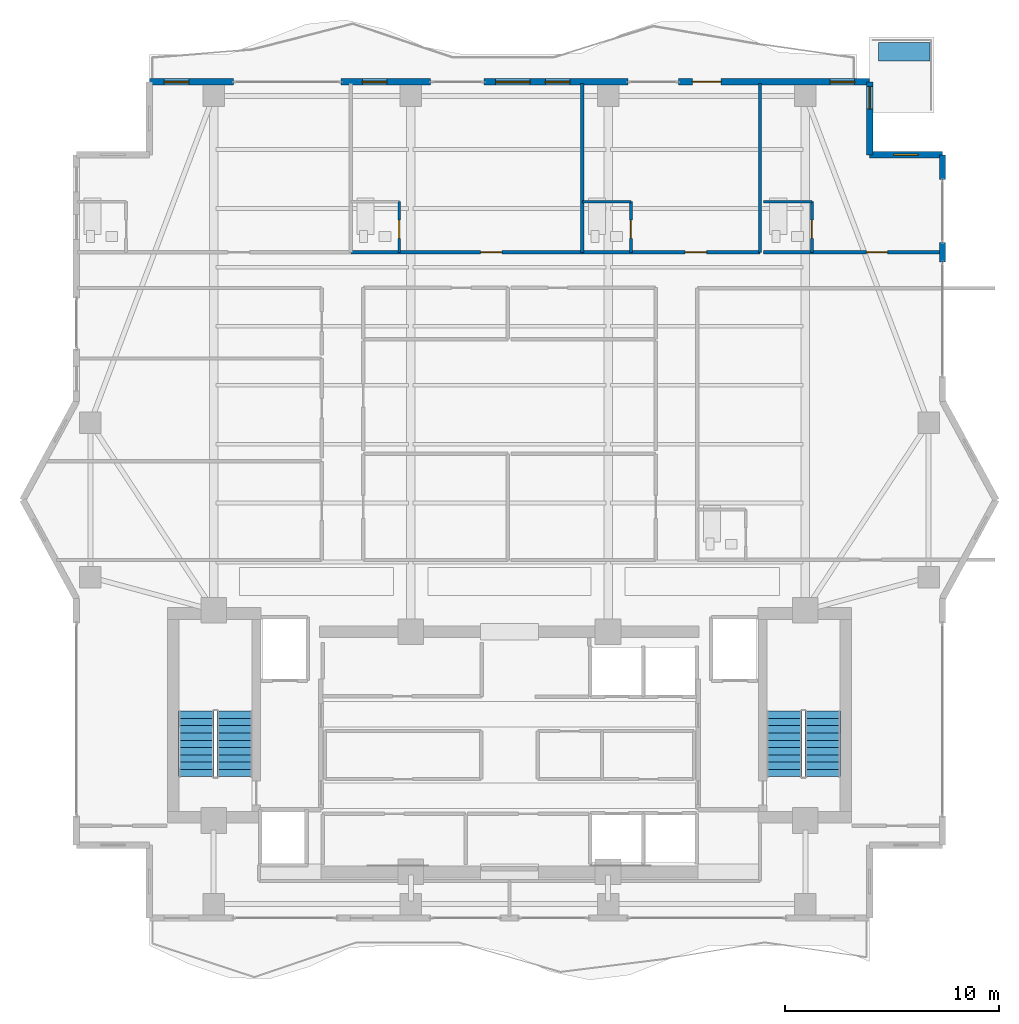
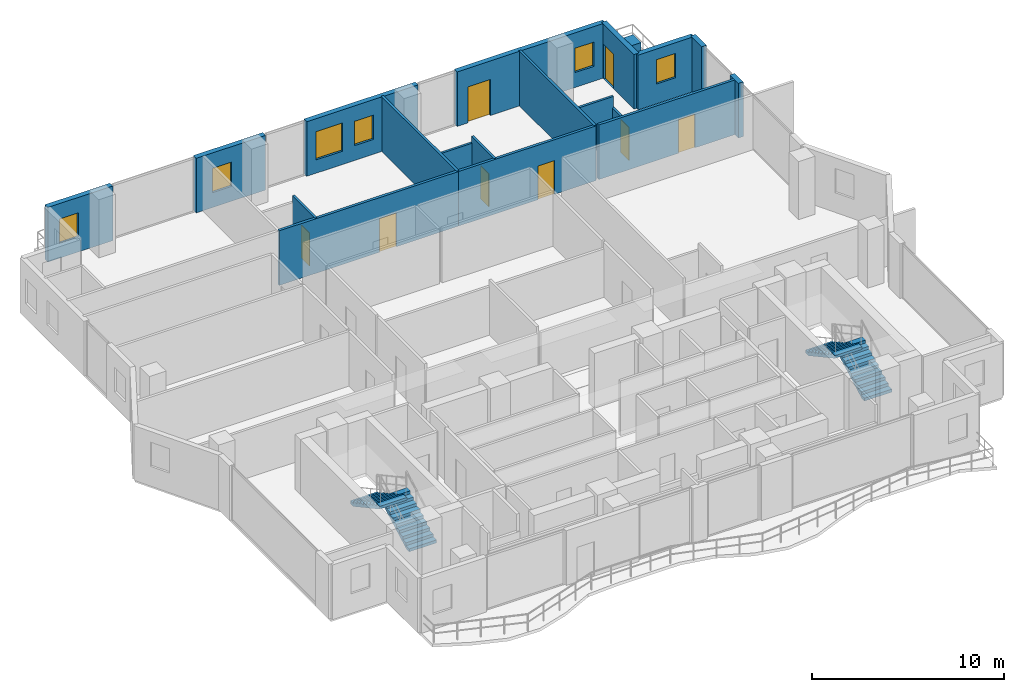
# One storey, part 20 of 23: 18 walls, 8 doors, 6 windows, 4 stair flights, 1 building element part, 14 openings, 2 elements without a shape of their own.
"""IFC4 building model written with IfcOpenShell, lengths in metres."""

from ifc_helpers import new_model, si_unit, direction, frame, frame_2d, origin, origin_2d, place, context, subcontext, project, spatial, polyline, rectangle, outline, extrude, material, layer, layer_set, type_object, element, fill, aggregate, save


model = new_model("IFC4")

# Units and contexts
model_context = context("Model", 3, precision=1e-05, world=origin(), true_north=direction((0.0, 1.0)))
body_context = subcontext(model_context, "Body", "Model", "MODEL_VIEW")
ifc_project = project(units=[si_unit("LENGTHUNIT", "METRE"), si_unit("AREAUNIT", "SQUARE_METRE"), si_unit("VOLUMEUNIT", "CUBIC_METRE"), si_unit("PLANEANGLEUNIT", "RADIAN"), si_unit("MASSUNIT", "GRAM", prefix="KILO")], contexts=[model_context])

# Site, building, storey
site_placement = place(None, origin())
site = spatial("IfcSite", under=ifc_project, at=site_placement, CompositionType="ELEMENT")
building_placement = place(site_placement, origin())
building = spatial("IfcBuilding", under=site, at=building_placement, Name="Zuhayl Quay Hotel", CompositionType="ELEMENT")
storey_placement = place(building_placement, frame((0.0, 0.0, 261.85009765625)))
storey = spatial("IfcBuildingStorey", under=building, at=storey_placement, Name="L66", CompositionType="ELEMENT", Elevation=261.85009765625)

# Wall, opening, window
ifc_material_1 = material(Name="Precast concrete C45/55", Category="concrete")
ifc_layer_1 = layer(ifc_material_1, 0.300048828125, Name="Precast concrete C45/55", Category="concrete")
ifc_layer_set_1 = layer_set([ifc_layer_1], Name="Precast concrete C45/55")
wall_type_1 = type_object("IfcWallType", Name="WL_EXT_300", PredefinedType="STANDARD", material=ifc_layer_set_1)
wall_1_placement = place(storey_placement, frame((-16.800048828125, 39.0, 0.0), z_axis=(0.0, 0.0, 1.0), x_axis=(1.0, 0.0, 0.0)))
wall_1 = element("IfcWall", 1, at=wall_1_placement, inside=storey, type_object=wall_type_1, Name="L66 Exterior Precast Wall ENV_L66_N_EW1", PredefinedType="STANDARD", context=body_context, shape_type="SweptSolid", body=[
    extrude(rectangle(XDim=3.920166015625, YDim=0.300048828125, at=frame_2d((1.9599609375, 0.0))), origin(), (0.0, 0.0, 1.0), 3.47998046875),
])
opening_1_placement = place(wall_1_placement, frame((0.695068359375, 0.0, 0.949951171875)))
opening_1 = element("IfcOpeningElement", 2, at=opening_1_placement, cuts=wall_1, Name="Opening W01N", PredefinedType="OPENING", context=body_context, shape_type="SweptSolid", body=[
    extrude(rectangle(XDim=1.14990234375, YDim=1.550048828125, at=frame_2d((0.574951171875, 0.77490234375))), frame((0.0, 0.159912109375, 0.0), z_axis=(0.0, -1.0, 0.0), x_axis=(1.0, 0.0, 0.0)), (0.0, 0.0, 1.0), 0.320068359375),
])
ifc_material_2 = material(Name="Dark Ceramic-Fritted Solar Glass", Category="glass")
window_type_1 = type_object("IfcWindowType", Name="WN_NOTCH_1350", PartitioningType="SINGLE_PANEL", PredefinedType="WINDOW", material=ifc_material_2)
window_1_placement = place(opening_1_placement, origin())
window_1 = element("IfcWindow", 3, at=window_1_placement, inside=storey, type_object=window_type_1, Name="L66 Operable Facade Window 1-1", OverallHeight=1.550048828125, OverallWidth=1.14990234375, PartitioningType="SINGLE_PANEL", PredefinedType="WINDOW", context=body_context, shape_type="SweptSolid", body=[
    extrude(rectangle(XDim=1.14990234375, YDim=1.550048828125, at=frame_2d((0.574951171875, 0.77490234375))), frame((0.0, 0.030029296875, 0.0), z_axis=(0.0, -1.0, 0.0), x_axis=(1.0, 0.0, 0.0)), (0.0, 0.0, 1.0), 0.06005859375),
])
fill(opening_1, window_1)

wall_2_placement = place(storey_placement, frame((-7.85009765625, 39.0, 0.0), z_axis=(0.0, 0.0, 1.0), x_axis=(1.0, 0.0, 0.0)))
wall_2 = element("IfcWall", 4, at=wall_2_placement, inside=storey, type_object=wall_type_1, Name="L66 Exterior Precast Wall ENV_L66_N_EW2", PredefinedType="STANDARD", context=body_context, shape_type="SweptSolid", body=[
    extrude(rectangle(XDim=4.170166015625, YDim=0.300048828125, at=frame_2d((2.0849609375, 0.0))), origin(), (0.0, 0.0, 1.0), 3.47998046875),
])
opening_2_placement = place(wall_2_placement, frame((0.985107421875, 0.0, 0.949951171875)))
opening_2 = element("IfcOpeningElement", 5, at=opening_2_placement, cuts=wall_2, Name="Opening W01N", PredefinedType="OPENING", context=body_context, shape_type="SweptSolid", body=[
    extrude(rectangle(XDim=1.14990234375, YDim=1.550048828125, at=frame_2d((0.574951171875, 0.77490234375))), frame((0.0, 0.159912109375, 0.0), z_axis=(0.0, -1.0, 0.0), x_axis=(1.0, 0.0, 0.0)), (0.0, 0.0, 1.0), 0.320068359375),
])
window_2_placement = place(opening_2_placement, origin())
window_2 = element("IfcWindow", 6, at=window_2_placement, inside=storey, type_object=window_type_1, Name="L66 Operable Facade Window 2-1", OverallHeight=1.550048828125, OverallWidth=1.14990234375, PartitioningType="SINGLE_PANEL", PredefinedType="WINDOW", context=body_context, shape_type="SweptSolid", body=[
    extrude(rectangle(XDim=1.14990234375, YDim=1.550048828125, at=frame_2d((0.574951171875, 0.77490234375))), frame((0.0, 0.030029296875, 0.0), z_axis=(0.0, -1.0, 0.0), x_axis=(1.0, 0.0, 0.0)), (0.0, 0.0, 1.0), 0.06005859375),
])
fill(opening_2, window_2)

# Wall, openings, windows
wall_3_placement = place(storey_placement, frame((-1.18994140625, 39.0, 0.0), z_axis=(0.0, 0.0, 1.0), x_axis=(1.0, 0.0, 0.0)))
wall_3 = element("IfcWall", 7, at=wall_3_placement, inside=storey, type_object=wall_type_1, Name="L66 Exterior Precast Wall ENV_L66_N_EW3", PredefinedType="STANDARD", context=body_context, shape_type="SweptSolid", body=[
    extrude(rectangle(XDim=6.7099609375, YDim=0.300048828125, at=frame_2d((3.35498046875, 0.0))), origin(), (0.0, 0.0, 1.0), 3.47998046875),
])
opening_3_placement = place(wall_3_placement, frame((0.550048828125, 0.0, 0.85009765625)))
opening_3 = element("IfcOpeningElement", 8, at=opening_3_placement, cuts=wall_3, Name="Opening W01", PredefinedType="OPENING", context=body_context, shape_type="SweptSolid", body=[
    extrude(rectangle(XDim=1.60009765625, YDim=1.800048828125, at=frame_2d((0.800048828125, 0.89990234375))), frame((0.0, 0.159912109375, 0.0), z_axis=(0.0, -1.0, 0.0), x_axis=(1.0, 0.0, 0.0)), (0.0, 0.0, 1.0), 0.320068359375),
])
opening_4_placement = place(wall_3_placement, frame((2.860107421875, 0.0, 0.949951171875)))
opening_4 = element("IfcOpeningElement", 9, at=opening_4_placement, cuts=wall_3, Name="Opening W01N", PredefinedType="OPENING", context=body_context, shape_type="SweptSolid", body=[
    extrude(rectangle(XDim=1.14990234375, YDim=1.550048828125, at=frame_2d((0.574951171875, 0.77490234375))), frame((0.0, 0.159912109375, 0.0), z_axis=(0.0, -1.0, 0.0), x_axis=(1.0, 0.0, 0.0)), (0.0, 0.0, 1.0), 0.320068359375),
])
window_3_placement = place(opening_4_placement, origin())
window_3 = element("IfcWindow", 10, at=window_3_placement, inside=storey, type_object=window_type_1, Name="L66 Operable Facade Window 3-1", OverallHeight=1.550048828125, OverallWidth=1.14990234375, PartitioningType="SINGLE_PANEL", PredefinedType="WINDOW", context=body_context, shape_type="SweptSolid", body=[
    extrude(rectangle(XDim=1.14990234375, YDim=1.550048828125, at=frame_2d((0.574951171875, 0.77490234375))), frame((0.0, 0.030029296875, 0.0), z_axis=(0.0, -1.0, 0.0), x_axis=(1.0, 0.0, 0.0)), (0.0, 0.0, 1.0), 0.06005859375),
])
fill(opening_4, window_3)
window_type_2 = type_object("IfcWindowType", Name="WN_OPERABLE_1600", PartitioningType="DOUBLE_PANEL_VERTICAL", PredefinedType="WINDOW", material=ifc_material_2)
window_4_placement = place(opening_3_placement, origin())
window_4 = element("IfcWindow", 11, at=window_4_placement, inside=storey, type_object=window_type_2, Name="L66 North Operable Casement Window", OverallHeight=1.800048828125, OverallWidth=1.60009765625, PartitioningType="SINGLE_PANEL", PredefinedType="WINDOW", context=body_context, shape_type="SweptSolid", body=[
    extrude(rectangle(XDim=1.60009765625, YDim=1.800048828125, at=frame_2d((0.800048828125, 0.89990234375))), frame((0.0, 0.030029296875, 0.0), z_axis=(0.0, -1.0, 0.0), x_axis=(1.0, 0.0, 0.0)), (0.0, 0.0, 1.0), 0.06005859375),
])
fill(opening_3, window_4)

# Wall, openings, door, window
wall_4_placement = place(storey_placement, frame((7.8779296875, 39.0, 0.0), z_axis=(0.0, 0.0, 1.0), x_axis=(1.0, 0.0, 0.0)))
wall_4 = element("IfcWall", 12, at=wall_4_placement, inside=storey, type_object=wall_type_1, Name="L66 Exterior Precast Wall ENV_L66_N_EW4", PredefinedType="STANDARD", context=body_context, shape_type="SweptSolid", body=[
    extrude(rectangle(XDim=8.922119140625, YDim=0.300048828125, at=frame_2d((4.4609375, 0.0))), origin(), (0.0, 0.0, 1.0), 3.47998046875),
])
opening_5_placement = place(wall_4_placement, frame((0.64990234375, 0.0, 0.0)))
opening_5 = element("IfcOpeningElement", 13, at=opening_5_placement, cuts=wall_4, Name="Opening DG2", PredefinedType="OPENING", context=body_context, shape_type="SweptSolid", body=[
    extrude(rectangle(XDim=1.35009765625, YDim=2.300048828125, at=frame_2d((0.675048828125, 1.14990234375))), frame((0.0, 0.159912109375, 0.0), z_axis=(0.0, -1.0, 0.0), x_axis=(1.0, 0.0, 0.0)), (0.0, 0.0, 1.0), 0.320068359375),
])
opening_6_placement = place(wall_4_placement, frame((7.076904296875, 0.0, 0.949951171875)))
opening_6 = element("IfcOpeningElement", 14, at=opening_6_placement, cuts=wall_4, Name="Opening W01N", PredefinedType="OPENING", context=body_context, shape_type="SweptSolid", body=[
    extrude(rectangle(XDim=1.14990234375, YDim=1.550048828125, at=frame_2d((0.574951171875, 0.77490234375))), frame((0.0, 0.159912109375, 0.0), z_axis=(0.0, -1.0, 0.0), x_axis=(1.0, 0.0, 0.0)), (0.0, 0.0, 1.0), 0.320068359375),
])
ifc_material_3 = material(Name="Anodised Aluminium and Dark Solar Glass", Category="aluminium")
door_type_1 = type_object("IfcDoorType", Name="DR_EXT_TERR_1350", OperationType="NOTDEFINED", PredefinedType="DOOR", material=ifc_material_3)
door_1_placement = place(opening_5_placement, origin())
door_1 = element("IfcDoor", 15, at=door_1_placement, inside=storey, type_object=door_type_1, Name="L66 North Rippling Balcony Door", OperationType="SINGLE_SWING_LEFT", OverallHeight=2.300048828125, OverallWidth=1.35009765625, PredefinedType="DOOR", context=body_context, shape_type="SweptSolid", body=[
    extrude(rectangle(XDim=1.35009765625, YDim=2.300048828125, at=frame_2d((0.675048828125, 1.14990234375))), frame((0.0, 0.02490234375, 0.0), z_axis=(0.0, -1.0, 0.0), x_axis=(1.0, 0.0, 0.0)), (0.0, 0.0, 1.0), 0.050048828125),
])
fill(opening_5, door_1)
window_5_placement = place(opening_6_placement, origin())
window_5 = element("IfcWindow", 16, at=window_5_placement, inside=storey, type_object=window_type_1, Name="L66 Operable Facade Window 4-1", OverallHeight=1.550048828125, OverallWidth=1.14990234375, PartitioningType="SINGLE_PANEL", PredefinedType="WINDOW", context=body_context, shape_type="SweptSolid", body=[
    extrude(rectangle(XDim=1.14990234375, YDim=1.550048828125, at=frame_2d((0.574951171875, 0.77490234375))), frame((0.0, 0.030029296875, 0.0), z_axis=(0.0, -1.0, 0.0), x_axis=(1.0, 0.0, 0.0)), (0.0, 0.0, 1.0), 0.06005859375),
])
fill(opening_6, window_5)

# Wall, opening, door
wall_5_placement = place(storey_placement, frame((16.800048828125, 39.0, 0.0), z_axis=(0.0, 0.0, 1.0), x_axis=(0.0, -1.0, 0.0)))
wall_5 = element("IfcWall", 17, at=wall_5_placement, inside=storey, type_object=wall_type_1, Name="L66 Exterior Precast Wall ENV_L66_SP_NE", PredefinedType="STANDARD", context=body_context, shape_type="SweptSolid", body=[
    extrude(rectangle(XDim=3.39990234375, YDim=0.300048828125, at=frame_2d((1.699951171875, 0.0))), origin(), (0.0, 0.0, 1.0), 3.47998046875),
])
opening_7_placement = place(wall_5_placement, frame((0.219970703125, 0.0, 0.0)))
opening_7 = element("IfcOpeningElement", 18, at=opening_7_placement, cuts=wall_5, Name="Opening DG1", PredefinedType="OPENING", context=body_context, shape_type="SweptSolid", body=[
    extrude(rectangle(XDim=1.050048828125, YDim=2.199951171875, at=frame_2d((0.52490234375, 1.10009765625))), frame((0.0, 0.159912109375, 0.0), z_axis=(0.0, -1.0, 0.0), x_axis=(1.0, 0.0, 0.0)), (0.0, 0.0, 1.0), 0.320068359375),
])
door_type_2 = type_object("IfcDoorType", Name="DR_EXT_TERR_1050", OperationType="NOTDEFINED", PredefinedType="DOOR", material=ifc_material_3)
door_2_placement = place(opening_7_placement, origin())
door_2 = element("IfcDoor", 19, at=door_2_placement, inside=storey, type_object=door_type_2, Name="L66 Spiral Sky-Terrace NE Access Door", OperationType="SINGLE_SWING_LEFT", OverallHeight=2.199951171875, OverallWidth=1.050048828125, PredefinedType="DOOR", context=body_context, shape_type="SweptSolid", body=[
    extrude(rectangle(XDim=1.050048828125, YDim=2.199951171875, at=frame_2d((0.52490234375, 1.10009765625))), frame((0.0, 0.02490234375, 0.0), z_axis=(0.0, -1.0, 0.0), x_axis=(1.0, 0.0, 0.0)), (0.0, 0.0, 1.0), 0.050048828125),
])
fill(opening_7, door_2)

# Wall, opening, window
wall_6_placement = place(storey_placement, frame((16.800048828125, 35.60009765625, 0.0), z_axis=(0.0, 0.0, 1.0), x_axis=(1.0, 0.0, 0.0)))
wall_6 = element("IfcWall", 20, at=wall_6_placement, inside=storey, type_object=wall_type_1, Name="L66 Exterior Precast Wall ENV_L66_EW10", PredefinedType="STANDARD", context=body_context, shape_type="SweptSolid", body=[
    extrude(rectangle(XDim=3.39990234375, YDim=0.300048828125, at=frame_2d((1.699951171875, 0.0))), origin(), (0.0, 0.0, 1.0), 3.47998046875),
])
opening_8_placement = place(wall_6_placement, frame((1.125, 0.0, 1.25)))
opening_8 = element("IfcOpeningElement", 21, at=opening_8_placement, cuts=wall_6, Name="Opening W01N", PredefinedType="OPENING", context=body_context, shape_type="SweptSolid", body=[
    extrude(rectangle(XDim=1.14990234375, YDim=1.550048828125, at=frame_2d((0.574951171875, 0.77490234375))), frame((0.0, 0.159912109375, 0.0), z_axis=(0.0, -1.0, 0.0), x_axis=(1.0, 0.0, 0.0)), (0.0, 0.0, 1.0), 0.320068359375),
])
window_6_placement = place(opening_8_placement, origin())
window_6 = element("IfcWindow", 22, at=window_6_placement, inside=storey, type_object=window_type_1, Name="L66 Corner Notch Window 10", OverallHeight=1.550048828125, OverallWidth=1.14990234375, PartitioningType="SINGLE_PANEL", PredefinedType="WINDOW", context=body_context, shape_type="SweptSolid", body=[
    extrude(rectangle(XDim=1.14990234375, YDim=1.550048828125, at=frame_2d((0.574951171875, 0.77490234375))), frame((0.0, 0.030029296875, 0.0), z_axis=(0.0, -1.0, 0.0), x_axis=(1.0, 0.0, 0.0)), (0.0, 0.0, 1.0), 0.06005859375),
])
fill(opening_8, window_6)

# Walls
wall_7_placement = place(storey_placement, frame((20.199951171875, 35.60009765625, 0.0), z_axis=(0.0, 0.0, 1.0), x_axis=(0.0, -1.0, 0.0)))
element("IfcWall", 23, at=wall_7_placement, inside=storey, type_object=wall_type_1, Name="L66 Exterior Precast Wall ENV_L66_E11_EW1", PredefinedType="STANDARD", context=body_context, shape_type="SweptSolid", body=[
    extrude(rectangle(XDim=1.150146484375, YDim=0.300048828125, at=frame_2d((0.5751953125, 0.0))), origin(), (0.0, 0.0, 1.0), 3.47998046875),
])
wall_8_placement = place(storey_placement, frame((20.199951171875, 31.5, 0.0), z_axis=(0.0, 0.0, 1.0), x_axis=(0.0, -1.0, 0.0)))
element("IfcWall", 24, at=wall_8_placement, inside=storey, type_object=wall_type_1, Name="L66 Exterior Precast Wall ENV_L66_E11_EW2", PredefinedType="STANDARD", context=body_context, shape_type="SweptSolid", body=[
    extrude(rectangle(XDim=0.89990234375, YDim=0.300048828125, at=frame_2d((0.449951171875, 0.0))), origin(), (0.0, 0.0, 1.0), 3.47998046875),
])
ifc_material_4 = material(Name="Acoustic Gypsum Partition STC-58")
ifc_layer_2 = layer(ifc_material_4, 0.14990234375, Name="Acoustic Gypsum Partition STC-58")
ifc_layer_set_2 = layer_set([ifc_layer_2], Name="Acoustic Gypsum Partition STC-58")
wall_type_2 = type_object("IfcWallType", Name="WL_PART_150", PredefinedType="PARTITIONING", material=ifc_layer_set_2)
for number, where, z_axis, x_axis, name in (
    (25, (3.39990234375, 31.050048828125, 0.0), (0.0, 0.0, 1.0), (0.0, 1.0, 0.0), "L66 Partition IW_L66_NU02_E"),
    (26, (11.68994140625, 31.050048828125, 0.0), (0.0, 0.0, 1.0), (0.0, 1.0, 0.0), "L66 Partition IW_L66_NU03A_E"),
):
    element("IfcWall", number, at=place(storey_placement, frame(where, z_axis=z_axis, x_axis=x_axis)), inside=storey, type_object=wall_type_2, Name=name, PredefinedType="PARTITIONING", context=body_context, shape_type="SweptSolid", body=[
        extrude(rectangle(XDim=7.869873046875, YDim=0.14990234375, at=frame_2d((3.93505859375, 0.0))), origin(), (0.0, 0.0, 1.0), 3.47998046875),
    ])

# Wall, opening, door
ifc_layer_3 = layer(ifc_material_4, 0.159912109375, Name="Acoustic Gypsum Partition STC-58")
ifc_layer_set_3 = layer_set([ifc_layer_3], Name="Acoustic Gypsum Partition STC-58")
wall_type_3 = type_object("IfcWallType", Name="WL_PART_CORR_160", PredefinedType="PARTITIONING", material=ifc_layer_set_3)
wall_9_placement = place(storey_placement, frame((-7.39990234375, 31.050048828125, 0.0), z_axis=(0.0, 0.0, 1.0), x_axis=(1.0, 0.0, 0.0)))
wall_9 = element("IfcWall", 27, at=wall_9_placement, inside=storey, type_object=wall_type_3, Name="L66 Partition IW_L66_NU02_COR", PredefinedType="PARTITIONING", context=body_context, shape_type="SweptSolid", body=[
    extrude(rectangle(XDim=10.7998046875, YDim=0.159912109375, at=frame_2d((5.39990234375, 0.0))), origin(), (0.0, 0.0, 1.0), 3.47998046875),
])
opening_9_placement = place(wall_9_placement, frame((6.050048828125, 0.0, 0.0)))
opening_9 = element("IfcOpeningElement", 28, at=opening_9_placement, cuts=wall_9, Name="Opening D03L", PredefinedType="OPENING", context=body_context, shape_type="SweptSolid", body=[
    extrude(rectangle(XDim=1.0, YDim=2.14990234375, at=frame_2d((0.5, 1.074951171875))), frame((0.0, 0.08984375, 0.0), z_axis=(0.0, -1.0, 0.0), x_axis=(1.0, 0.0, 0.0)), (0.0, 0.0, 1.0), 0.179931640625),
])
ifc_material_5 = material(Name="Solid Walnut Acoustic Fire Door")
door_type_3 = type_object("IfcDoorType", Name="DR_SUITE_1000", OperationType="NOTDEFINED", PredefinedType="DOOR", material=ifc_material_5)
door_3_placement = place(opening_9_placement, origin())
door_3 = element("IfcDoor", 29, at=door_3_placement, inside=storey, type_object=door_type_3, Name="L66 Royal Gulf Suite L66-02 Entrance Door", OperationType="SINGLE_SWING_LEFT", OverallHeight=2.14990234375, OverallWidth=1.0, PredefinedType="DOOR", context=body_context, shape_type="SweptSolid", body=[
    extrude(rectangle(XDim=1.0, YDim=2.14990234375, at=frame_2d((0.5, 1.074951171875))), frame((0.0, 0.02490234375, 0.0), z_axis=(0.0, -1.0, 0.0), x_axis=(1.0, 0.0, 0.0)), (0.0, 0.0, 1.0), 0.050048828125),
])
fill(opening_9, door_3)

wall_10_placement = place(storey_placement, frame((3.39990234375, 31.050048828125, 0.0), z_axis=(0.0, 0.0, 1.0), x_axis=(1.0, 0.0, 0.0)))
wall_10 = element("IfcWall", 30, at=wall_10_placement, inside=storey, type_object=wall_type_3, Name="L66 Partition IW_L66_NU03A_COR", PredefinedType="PARTITIONING", context=body_context, shape_type="SweptSolid", body=[
    extrude(rectangle(XDim=8.2900390625, YDim=0.159912109375, at=frame_2d((4.14501953125, 0.0))), origin(), (0.0, 0.0, 1.0), 3.47998046875),
])
opening_10_placement = place(wall_10_placement, frame((4.794921875, 0.0, 0.0)))
opening_10 = element("IfcOpeningElement", 31, at=opening_10_placement, cuts=wall_10, Name="Opening D03L", PredefinedType="OPENING", context=body_context, shape_type="SweptSolid", body=[
    extrude(rectangle(XDim=1.0, YDim=2.14990234375, at=frame_2d((0.5, 1.074951171875))), frame((0.0, 0.08984375, 0.0), z_axis=(0.0, -1.0, 0.0), x_axis=(1.0, 0.0, 0.0)), (0.0, 0.0, 1.0), 0.179931640625),
])
door_4_placement = place(opening_10_placement, origin())
door_4 = element("IfcDoor", 32, at=door_4_placement, inside=storey, type_object=door_type_3, Name="L66 Royal Gulf Suite L66-03A Entrance Door", OperationType="SINGLE_SWING_LEFT", OverallHeight=2.14990234375, OverallWidth=1.0, PredefinedType="DOOR", context=body_context, shape_type="SweptSolid", body=[
    extrude(rectangle(XDim=1.0, YDim=2.14990234375, at=frame_2d((0.5, 1.074951171875))), frame((0.0, 0.02490234375, 0.0), z_axis=(0.0, -1.0, 0.0), x_axis=(1.0, 0.0, 0.0)), (0.0, 0.0, 1.0), 0.050048828125),
])
fill(opening_10, door_4)

wall_11_placement = place(storey_placement, frame((11.85009765625, 31.050048828125, 0.0), z_axis=(0.0, 0.0, 1.0), x_axis=(1.0, 0.0, 0.0)))
wall_11 = element("IfcWall", 33, at=wall_11_placement, inside=storey, type_object=wall_type_3, Name="L66 Partition IW_L66_NU03B_COR", PredefinedType="PARTITIONING", context=body_context, shape_type="SweptSolid", body=[
    extrude(rectangle(XDim=8.289794921875, YDim=0.159912109375, at=frame_2d((4.14501953125, 0.0))), origin(), (0.0, 0.0, 1.0), 3.47998046875),
])
opening_11_placement = place(wall_11_placement, frame((4.794921875, 0.0, 0.0)))
opening_11 = element("IfcOpeningElement", 34, at=opening_11_placement, cuts=wall_11, Name="Opening D03L", PredefinedType="OPENING", context=body_context, shape_type="SweptSolid", body=[
    extrude(rectangle(XDim=1.0, YDim=2.14990234375, at=frame_2d((0.5, 1.074951171875))), frame((0.0, 0.08984375, 0.0), z_axis=(0.0, -1.0, 0.0), x_axis=(1.0, 0.0, 0.0)), (0.0, 0.0, 1.0), 0.179931640625),
])
door_5_placement = place(opening_11_placement, origin())
door_5 = element("IfcDoor", 35, at=door_5_placement, inside=storey, type_object=door_type_3, Name="L66 Royal Gulf Suite L66-03B Entrance Door", OperationType="SINGLE_SWING_LEFT", OverallHeight=2.14990234375, OverallWidth=1.0, PredefinedType="DOOR", context=body_context, shape_type="SweptSolid", body=[
    extrude(rectangle(XDim=1.0, YDim=2.14990234375, at=frame_2d((0.5, 1.074951171875))), frame((0.0, 0.02490234375, 0.0), z_axis=(0.0, -1.0, 0.0), x_axis=(1.0, 0.0, 0.0)), (0.0, 0.0, 1.0), 0.050048828125),
])
fill(opening_11, door_5)

ifc_material_6 = material(Name="Moisture-Resistant Sanitarychase Gypsum")
ifc_layer_4 = layer(ifc_material_6, 0.135009765625, Name="Moisture-Resistant Sanitarychase Gypsum")
ifc_layer_set_4 = layer_set([ifc_layer_4], Name="Moisture-Resistant Sanitarychase Gypsum")
wall_type_4 = type_object("IfcWallType", Name="WL_PART_PLUMB_150", PredefinedType="PLUMBINGWALL", material=ifc_layer_set_4)
wall_12_placement = place(storey_placement, frame((-5.139892578125, 31.050048828125, 0.0), z_axis=(0.0, 0.0, 1.0), x_axis=(0.0, 1.0, 0.0)))
wall_12 = element("IfcWall", 36, at=wall_12_placement, inside=storey, type_object=wall_type_4, Name="L66 Partition IW_L66_NU02_BE", PredefinedType="PLUMBINGWALL", context=body_context, shape_type="SweptSolid", body=[
    extrude(rectangle(XDim=2.35986328125, YDim=0.135009765625, at=frame_2d((1.179931640625, 0.0))), origin(), (0.0, 0.0, 1.0), 3.47998046875),
])
opening_12_placement = place(wall_12_placement, frame((0.64990234375, 0.0, 0.0)))
opening_12 = element("IfcOpeningElement", 37, at=opening_12_placement, cuts=wall_12, Name="Opening D04", PredefinedType="OPENING", context=body_context, shape_type="SweptSolid", body=[
    extrude(rectangle(XDim=0.85009765625, YDim=2.10009765625, at=frame_2d((0.425048828125, 1.050048828125))), frame((0.0, 0.077392578125, 0.0), z_axis=(0.0, -1.0, 0.0), x_axis=(1.0, 0.0, 0.0)), (0.0, 0.0, 1.0), 0.155029296875),
])
ifc_material_7 = material(Name="Moisture-Resistant Walnut Veneer")
door_type_4 = type_object("IfcDoorType", Name="DR_BATH_850", OperationType="NOTDEFINED", PredefinedType="DOOR", material=ifc_material_7)
door_6_placement = place(opening_12_placement, origin())
door_6 = element("IfcDoor", 38, at=door_6_placement, inside=storey, type_object=door_type_4, Name="L66 Royal Gulf Suite L66-02 En-Suite Door", OperationType="SINGLE_SWING_RIGHT", OverallHeight=2.10009765625, OverallWidth=0.85009765625, PredefinedType="DOOR", context=body_context, shape_type="SweptSolid", body=[
    extrude(rectangle(XDim=0.85009765625, YDim=2.10009765625, at=frame_2d((0.425048828125, 1.050048828125))), frame((0.0, 0.02490234375, 0.0), z_axis=(0.0, -1.0, 0.0), x_axis=(1.0, 0.0, 0.0)), (0.0, 0.0, 1.0), 0.050048828125),
])
fill(opening_12, door_6)

wall_13_placement = place(storey_placement, frame((5.659912109375, 31.050048828125, 0.0), z_axis=(0.0, 0.0, 1.0), x_axis=(0.0, 1.0, 0.0)))
wall_13 = element("IfcWall", 39, at=wall_13_placement, inside=storey, type_object=wall_type_4, Name="L66 Partition IW_L66_NU03A_BE", PredefinedType="PLUMBINGWALL", context=body_context, shape_type="SweptSolid", body=[
    extrude(rectangle(XDim=2.35986328125, YDim=0.135009765625, at=frame_2d((1.179931640625, 0.0))), origin(), (0.0, 0.0, 1.0), 3.47998046875),
])
opening_13_placement = place(wall_13_placement, frame((0.64990234375, 0.0, 0.0)))
opening_13 = element("IfcOpeningElement", 40, at=opening_13_placement, cuts=wall_13, Name="Opening D04", PredefinedType="OPENING", context=body_context, shape_type="SweptSolid", body=[
    extrude(rectangle(XDim=0.85009765625, YDim=2.10009765625, at=frame_2d((0.425048828125, 1.050048828125))), frame((0.0, 0.077392578125, 0.0), z_axis=(0.0, -1.0, 0.0), x_axis=(1.0, 0.0, 0.0)), (0.0, 0.0, 1.0), 0.155029296875),
])
door_7_placement = place(opening_13_placement, origin())
door_7 = element("IfcDoor", 41, at=door_7_placement, inside=storey, type_object=door_type_4, Name="L66 Royal Gulf Suite L66-03A En-Suite Door", OperationType="SINGLE_SWING_RIGHT", OverallHeight=2.10009765625, OverallWidth=0.85009765625, PredefinedType="DOOR", context=body_context, shape_type="SweptSolid", body=[
    extrude(rectangle(XDim=0.85009765625, YDim=2.10009765625, at=frame_2d((0.425048828125, 1.050048828125))), frame((0.0, 0.02490234375, 0.0), z_axis=(0.0, -1.0, 0.0), x_axis=(1.0, 0.0, 0.0)), (0.0, 0.0, 1.0), 0.050048828125),
])
fill(opening_13, door_7)

wall_14_placement = place(storey_placement, frame((14.110107421875, 31.050048828125, 0.0), z_axis=(0.0, 0.0, 1.0), x_axis=(0.0, 1.0, 0.0)))
wall_14 = element("IfcWall", 42, at=wall_14_placement, inside=storey, type_object=wall_type_4, Name="L66 Partition IW_L66_NU03B_BE", PredefinedType="PLUMBINGWALL", context=body_context, shape_type="SweptSolid", body=[
    extrude(rectangle(XDim=2.35986328125, YDim=0.135009765625, at=frame_2d((1.179931640625, 0.0))), origin(), (0.0, 0.0, 1.0), 2.36181640625),
])
opening_14_placement = place(wall_14_placement, frame((0.64990234375, 0.0, 0.0)))
opening_14 = element("IfcOpeningElement", 43, at=opening_14_placement, cuts=wall_14, Name="Opening D04", PredefinedType="OPENING", context=body_context, shape_type="SweptSolid", body=[
    extrude(rectangle(XDim=0.85009765625, YDim=2.10009765625, at=frame_2d((0.425048828125, 1.050048828125))), frame((0.0, 0.077392578125, 0.0), z_axis=(0.0, -1.0, 0.0), x_axis=(1.0, 0.0, 0.0)), (0.0, 0.0, 1.0), 0.155029296875),
])
door_8_placement = place(opening_14_placement, origin())
door_8 = element("IfcDoor", 44, at=door_8_placement, inside=storey, type_object=door_type_4, Name="L66 Royal Gulf Suite L66-03B En-Suite Door", OperationType="SINGLE_SWING_RIGHT", OverallHeight=2.10009765625, OverallWidth=0.85009765625, PredefinedType="DOOR", context=body_context, shape_type="SweptSolid", body=[
    extrude(rectangle(XDim=0.85009765625, YDim=2.10009765625, at=frame_2d((0.425048828125, 1.050048828125))), frame((0.0, 0.02490234375, 0.0), z_axis=(0.0, -1.0, 0.0), x_axis=(1.0, 0.0, 0.0)), (0.0, 0.0, 1.0), 0.050048828125),
])
fill(opening_14, door_8)

# Walls
for number, where, z_axis, x_axis, name in (
    (45, (3.39990234375, 33.409912109375, 0.0), (0.0, 0.0, 1.0), (1.0, 0.0, 0.0), "L66 Partition IW_L66_NU03A_BN"),
    (46, (11.85009765625, 33.409912109375, 0.0), (0.0, 0.0, 1.0), (1.0, 0.0, 0.0), "L66 Partition IW_L66_NU03B_BN"),
):
    element("IfcWall", number, at=place(storey_placement, frame(where, z_axis=z_axis, x_axis=x_axis)), inside=storey, type_object=wall_type_4, Name=name, PredefinedType="PLUMBINGWALL", context=body_context, shape_type="SweptSolid", body=[
        extrude(rectangle(XDim=2.260009765625, YDim=0.135009765625, at=frame_2d((1.1298828125, 0.0))), origin(), (0.0, 0.0, 1.0), 3.075927734375),
    ])

# Stair, stair flights
ifc_material_8 = material(Name="Concrete C45/55", Category="concrete")
stair_type = type_object("IfcStairType", Name="ST_DOGLEG_TOWER", PredefinedType="HALF_TURN_STAIR", material=ifc_material_8)
stair_1_placement = place(storey_placement, origin())
stair_1 = element("IfcStair", 47, at=stair_1_placement, inside=storey, type_object=stair_type, Name="L66 Smokeproof Exit Stair ST1", PredefinedType="HALF_TURN_STAIR")
ifc_layer_5 = layer(ifc_material_8, 0.159912109375, Name="Concrete C45/55", Category="concrete")
ifc_layer_set_5 = layer_set([ifc_layer_5], Name="Concrete C45/55")
stair_flight_type = type_object("IfcStairFlightType", Name="SF_CONC_164", PredefinedType="STRAIGHT", material=ifc_layer_set_5)
stair_flight_1_placement = place(storey_placement, frame((-12.820068359375, 6.590087890625, 0.0), z_axis=(0.0, 0.0, 1.0), x_axis=(0.0, 1.0, 0.0)))
stair_flight_1 = element("IfcStairFlight", 48, at=stair_flight_1_placement, type_object=stair_flight_type, Name="ST1 flight 1", NumberOfRisers=10, NumberOfTreads=9, PredefinedType="STRAIGHT", RiserHeight=0.185, TreadLength=0.34, context=body_context, shape_type="SweptSolid", body=[
    extrude(outline(polyline([(0.0, 0.0), (0.0, 0.18505859375), (0.340087890625, 0.18505859375), (0.340087890625, 0.3701171875), (0.679931640625, 0.3701171875), (0.679931640625, 0.554931640625), (1.02001953125, 0.554931640625), (1.02001953125, 0.739990234375), (1.360107421875, 0.739990234375), (1.360107421875, 0.925048828125), (1.699951171875, 0.925048828125), (1.699951171875, 1.110107421875), (2.0400390625, 1.110107421875), (2.0400390625, 1.294921875), (2.3798828125, 1.294921875), (2.3798828125, 1.47998046875), (2.719970703125, 1.47998046875), (2.719970703125, 1.6650390625), (3.06005859375, 1.6650390625), (3.06005859375, 1.85009765625), (3.06005859375, 1.494384765625), (0.313720703125, 0.0), (0.0, 0.0)])), frame((0.0, 0.81982421875, 0.0), z_axis=(0.0, -1.0, 0.0), x_axis=(1.0, 0.0, 0.0)), (0.0, 0.0, 1.0), 1.639892578125),
])
stair_flight_2_placement = place(storey_placement, frame((-14.610107421875, 9.64990234375, 1.849853515625), z_axis=(0.0, 0.0, 1.0), x_axis=(0.0, -1.0, 0.0)))
stair_flight_2 = element("IfcStairFlight", 49, at=stair_flight_2_placement, type_object=stair_flight_type, Name="ST1 flight 2", NumberOfRisers=10, NumberOfTreads=9, PredefinedType="STRAIGHT", RiserHeight=0.185, TreadLength=0.34, context=body_context, shape_type="SweptSolid", body=[
    extrude(outline(polyline([(0.0, 0.0), (0.0, 0.18505859375), (0.340087890625, 0.18505859375), (0.340087890625, 0.3701171875), (0.679931640625, 0.3701171875), (0.679931640625, 0.554931640625), (1.02001953125, 0.554931640625), (1.02001953125, 0.739990234375), (1.360107421875, 0.739990234375), (1.360107421875, 0.925048828125), (1.699951171875, 0.925048828125), (1.699951171875, 1.110107421875), (2.0400390625, 1.110107421875), (2.0400390625, 1.294921875), (2.3798828125, 1.294921875), (2.3798828125, 1.47998046875), (2.719970703125, 1.47998046875), (2.719970703125, 1.6650390625), (3.06005859375, 1.6650390625), (3.06005859375, 1.85009765625), (3.06005859375, 1.494384765625), (0.313720703125, 0.0), (0.0, 0.0)])), frame((0.0, 0.81982421875, 0.0), z_axis=(0.0, -1.0, 0.0), x_axis=(1.0, 0.0, 0.0)), (0.0, 0.0, 1.0), 1.639892578125),
])
aggregate(stair_1, [stair_flight_1, stair_flight_2])

stair_2_placement = place(storey_placement, origin())
stair_2 = element("IfcStair", 50, at=stair_2_placement, inside=storey, type_object=stair_type, Name="L66 Smokeproof Exit Stair ST2", PredefinedType="HALF_TURN_STAIR")
stair_flight_3_placement = place(storey_placement, frame((14.610107421875, 6.590087890625, 0.0), z_axis=(0.0, 0.0, 1.0), x_axis=(0.0, 1.0, 0.0)))
stair_flight_3 = element("IfcStairFlight", 51, at=stair_flight_3_placement, type_object=stair_flight_type, Name="ST2 flight 1", NumberOfRisers=10, NumberOfTreads=9, PredefinedType="STRAIGHT", RiserHeight=0.185, TreadLength=0.34, context=body_context, shape_type="SweptSolid", body=[
    extrude(outline(polyline([(0.0, 0.0), (0.0, 0.18505859375), (0.340087890625, 0.18505859375), (0.340087890625, 0.3701171875), (0.679931640625, 0.3701171875), (0.679931640625, 0.554931640625), (1.02001953125, 0.554931640625), (1.02001953125, 0.739990234375), (1.360107421875, 0.739990234375), (1.360107421875, 0.925048828125), (1.699951171875, 0.925048828125), (1.699951171875, 1.110107421875), (2.0400390625, 1.110107421875), (2.0400390625, 1.294921875), (2.3798828125, 1.294921875), (2.3798828125, 1.47998046875), (2.719970703125, 1.47998046875), (2.719970703125, 1.6650390625), (3.06005859375, 1.6650390625), (3.06005859375, 1.85009765625), (3.06005859375, 1.494384765625), (0.313720703125, 0.0), (0.0, 0.0)])), frame((0.0, 0.81982421875, 0.0), z_axis=(0.0, -1.0, 0.0), x_axis=(1.0, 0.0, 0.0)), (0.0, 0.0, 1.0), 1.639892578125),
])
stair_flight_4_placement = place(storey_placement, frame((12.820068359375, 9.64990234375, 1.849853515625), z_axis=(0.0, 0.0, 1.0), x_axis=(0.0, -1.0, 0.0)))
stair_flight_4 = element("IfcStairFlight", 52, at=stair_flight_4_placement, type_object=stair_flight_type, Name="ST2 flight 2", NumberOfRisers=10, NumberOfTreads=9, PredefinedType="STRAIGHT", RiserHeight=0.185, TreadLength=0.34, context=body_context, shape_type="SweptSolid", body=[
    extrude(outline(polyline([(0.0, 0.0), (0.0, 0.18505859375), (0.340087890625, 0.18505859375), (0.340087890625, 0.3701171875), (0.679931640625, 0.3701171875), (0.679931640625, 0.554931640625), (1.02001953125, 0.554931640625), (1.02001953125, 0.739990234375), (1.360107421875, 0.739990234375), (1.360107421875, 0.925048828125), (1.699951171875, 0.925048828125), (1.699951171875, 1.110107421875), (2.0400390625, 1.110107421875), (2.0400390625, 1.294921875), (2.3798828125, 1.294921875), (2.3798828125, 1.47998046875), (2.719970703125, 1.47998046875), (2.719970703125, 1.6650390625), (3.06005859375, 1.6650390625), (3.06005859375, 1.85009765625), (3.06005859375, 1.494384765625), (0.313720703125, 0.0), (0.0, 0.0)])), frame((0.0, 0.81982421875, 0.0), z_axis=(0.0, -1.0, 0.0), x_axis=(1.0, 0.0, 0.0)), (0.0, 0.0, 1.0), 1.639892578125),
])
aggregate(stair_2, [stair_flight_3, stair_flight_4])

# Building element part
ifc_layer_6 = layer(ifc_material_1, 0.550048828125, Name="Precast concrete C45/55", Category="concrete")
ifc_layer_set_6 = layer_set([ifc_layer_6], Name="Precast concrete C45/55")
building_element_part_type = type_object("IfcBuildingElementPartType", Name="PT_PLANTER_KERB", PredefinedType="PRECASTPANEL", material=ifc_layer_set_6)
building_element_part_placement = place(storey_placement, frame((18.409912109375, 40.409912109375, 0.0), z_axis=(0.0, 0.0, 1.0), x_axis=(1.0, 0.0, 0.0)))
element("IfcBuildingElementPart", 53, at=building_element_part_placement, inside=storey, type_object=building_element_part_type, Name="L66 Spiral Sky-Terrace Planter Box NE", PredefinedType="PRECASTPANEL", context=body_context, shape_type="SweptSolid", body=[
    extrude(rectangle(XDim=2.39990234375, YDim=0.85009765625, at=origin_2d()), origin(), (0.0, 0.0, 1.0), 0.550048828125),
])

save(model, "model.ifc")
